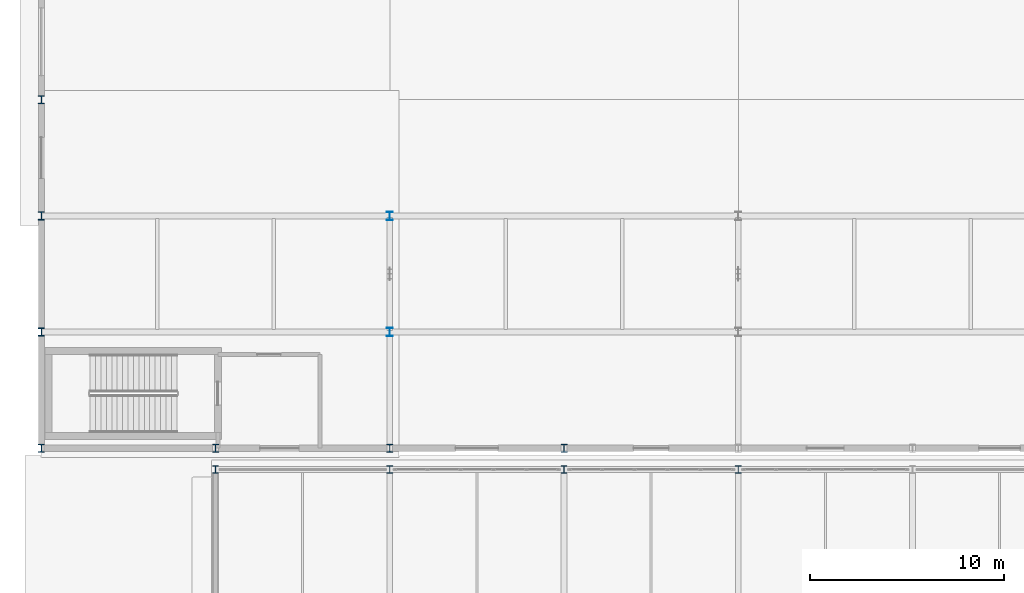
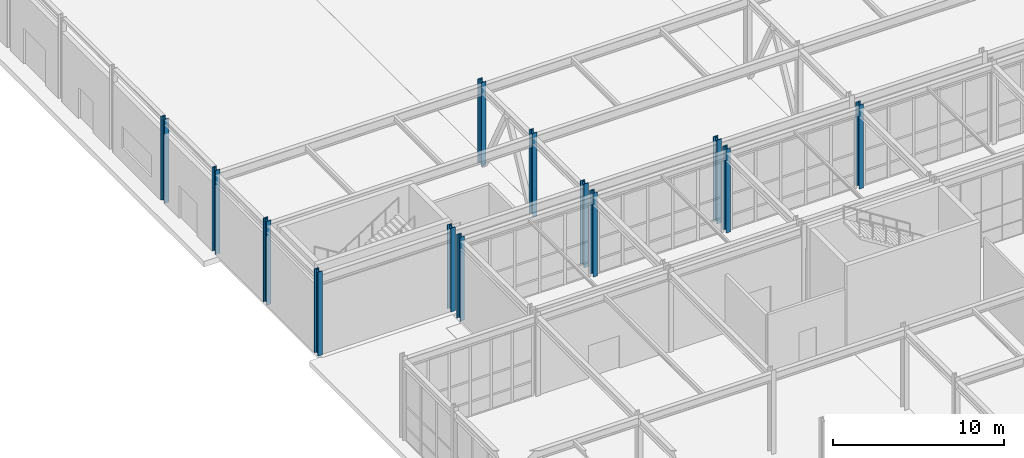
# One storey, part 3 of 146: 13 columns.
"""IFC4 building model written with IfcOpenShell, lengths in metres."""

from ifc_helpers import new_model, si_unit, direction, frame, origin, origin_2d, place, context, subcontext, project, spatial, i_section, extrude, material, material_profile, profile_set, type_object, element, save


model = new_model("IFC4")

# Units and contexts
model_context = context("Model", 3, precision=1e-05, world=origin(), true_north=direction((0.0, 1.0)))
body_context = subcontext(model_context, "Body", "Model", "MODEL_VIEW")
ifc_project = project(units=[si_unit("LENGTHUNIT", "METRE"), si_unit("AREAUNIT", "SQUARE_METRE"), si_unit("VOLUMEUNIT", "CUBIC_METRE"), si_unit("PLANEANGLEUNIT", "RADIAN"), si_unit("MASSUNIT", "GRAM", prefix="KILO")], contexts=[model_context])

# Site, building, storey
site_placement = place(None, origin())
site = spatial("IfcSite", under=ifc_project, at=site_placement, CompositionType="ELEMENT")
building_placement = place(site_placement, origin())
building = spatial("IfcBuilding", under=site, at=building_placement, Name="Kaldris Quays Convention Centre", CompositionType="ELEMENT")
storey_placement = place(building_placement, origin())
storey = spatial("IfcBuildingStorey", under=building, at=storey_placement, Name="L00", CompositionType="ELEMENT", Elevation=0.0)

# Columns
ifc_material_1 = material(Name="Steel S460ML", Category="steel")
ifc_material_profile_1 = material_profile(ifc_material_1, i_section(OverallWidth=0.306884765625, OverallDepth=0.431884765625, WebThickness=0.02099609375, FlangeThickness=0.0400390625, FilletRadius=0.027099609375, at=origin_2d()), Name="HEM 400")
ifc_profile_set_1 = profile_set([ifc_material_profile_1], Name="Steel S460ML")
column_type_1 = type_object("IfcColumnType", Name="STRUCTURAL COLUMN CL01", PredefinedType="COLUMN", material=ifc_profile_set_1)
for number, where, z_axis, x_axis, name in (
    (1, (20.0, 56.0, 0.0), (0.0, 0.0, 1.0), (1.0, 0.0, 0.0), "L00 V1 Column CL01 (20.00, 56.00)"),
    (2, (20.0, 62.0, 0.0), (0.0, 0.0, 1.0), (1.0, 0.0, 0.0), "L00 V1 Column CL01 (20.00, 62.00)"),
    (3, (20.0, 68.0, 0.0), (0.0, 0.0, 1.0), (1.0, 0.0, 0.0), "L00 V1 Column CL01 (20.00, 68.00)"),
    (4, (20.0, 74.0, 0.0), (0.0, 0.0, 1.0), (1.0, 0.0, 0.0), "L00 V1 Column CL01 (20.00, 74.00)"),
    (5, (29.0, 56.0, 0.0), (0.0, 0.0, 1.0), (1.0, 0.0, 0.0), "L00 V1 Column CL01 (29.00, 56.00)"),
    (6, (38.0, 56.0, 0.0), (0.0, 0.0, 1.0), (1.0, 0.0, 0.0), "L00 V1 Column CL01 (38.00, 56.00)"),
    (7, (47.0, 56.0, 0.0), (0.0, 0.0, 1.0), (1.0, 0.0, 0.0), "L00 V1 Column CL01 (47.00, 56.00)"),
):
    element("IfcColumn", number, at=place(storey_placement, frame(where, z_axis=z_axis, x_axis=x_axis)), inside=storey, type_object=column_type_1, Name=name, PredefinedType="COLUMN", context=body_context, shape_type="SweptSolid", body=[
        extrude(i_section(OverallWidth=0.306884765625, OverallDepth=0.431884765625, WebThickness=0.02099609375, FlangeThickness=0.0400390625, FilletRadius=0.027099609375, at=origin_2d()), origin(), (0.0, 0.0, 1.0), 6.0),
    ])
ifc_material_2 = material(Name="Steel S355J2", Category="steel")
ifc_material_profile_2 = material_profile(ifc_material_2, i_section(OverallWidth=0.300048828125, OverallDepth=0.449951171875, WebThickness=0.013916015625, FlangeThickness=0.02587890625, FilletRadius=0.027099609375, at=origin_2d()), Name="HEB 450")
ifc_profile_set_2 = profile_set([ifc_material_profile_2], Name="Steel S355J2")
column_type_2 = type_object("IfcColumnType", Name="STRUCTURAL COLUMN CL08", PredefinedType="COLUMN", material=ifc_profile_set_2)
for number, where, z_axis, x_axis, name in (
    (8, (38.0, 62.0, 0.0), (0.0, 0.0, 1.0), (1.0, 0.0, 0.0), "L00 V1 Column CL08 (38.00, 62.00)"),
    (9, (38.0, 68.0, 0.0), (0.0, 0.0, 1.0), (1.0, 0.0, 0.0), "L00 V1 Column CL08 (38.00, 68.00)"),
):
    element("IfcColumn", number, at=place(storey_placement, frame(where, z_axis=z_axis, x_axis=x_axis)), inside=storey, type_object=column_type_2, Name=name, PredefinedType="COLUMN", context=body_context, shape_type="SweptSolid", body=[
        extrude(i_section(OverallWidth=0.300048828125, OverallDepth=0.449951171875, WebThickness=0.013916015625, FlangeThickness=0.02587890625, FilletRadius=0.027099609375, at=origin_2d()), origin(), (0.0, 0.0, 1.0), 6.0),
    ])
ifc_material_profile_3 = material_profile(ifc_material_2, i_section(OverallWidth=0.300048828125, OverallDepth=0.389892578125, WebThickness=0.010986328125, FlangeThickness=0.01904296875, FilletRadius=0.027099609375, at=origin_2d()), Name="HEA 400")
ifc_profile_set_3 = profile_set([ifc_material_profile_3], Name="Steel S355J2")
column_type_3 = type_object("IfcColumnType", Name="STRUCTURAL COLUMN CL12", PredefinedType="COLUMN", material=ifc_profile_set_3)
for number, where, z_axis, x_axis, name in (
    (10, (29.0, 54.89990234375, 0.0), (0.0, 0.0, 1.0), (1.0, 0.0, 0.0), "L00 V4 Column CL12 (29.00, 54.90)"),
    (11, (38.0, 54.89990234375, 0.0), (0.0, 0.0, 1.0), (1.0, 0.0, 0.0), "L00 V4 Column CL12 (38.00, 54.90)"),
    (12, (47.0, 54.89990234375, 0.0), (0.0, 0.0, 1.0), (1.0, 0.0, 0.0), "L00 V4 Column CL12 (47.00, 54.90)"),
    (13, (56.0, 54.89990234375, 0.0), (0.0, 0.0, 1.0), (1.0, 0.0, 0.0), "L00 V4 Column CL12 (56.00, 54.90)"),
):
    element("IfcColumn", number, at=place(storey_placement, frame(where, z_axis=z_axis, x_axis=x_axis)), inside=storey, type_object=column_type_3, Name=name, PredefinedType="COLUMN", context=body_context, shape_type="SweptSolid", body=[
        extrude(i_section(OverallWidth=0.300048828125, OverallDepth=0.389892578125, WebThickness=0.010986328125, FlangeThickness=0.01904296875, FilletRadius=0.027099609375, at=origin_2d()), origin(), (0.0, 0.0, 1.0), 6.0),
    ])

save(model, "model.ifc")
